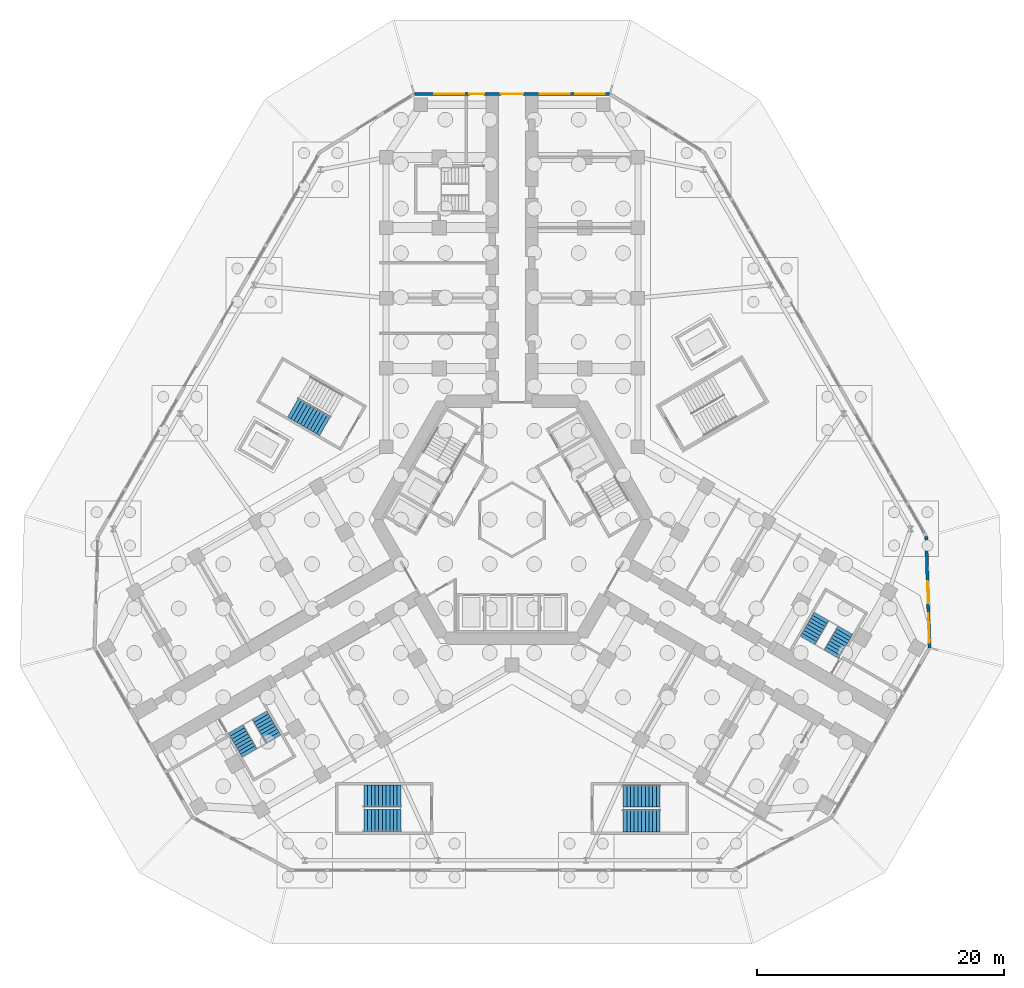
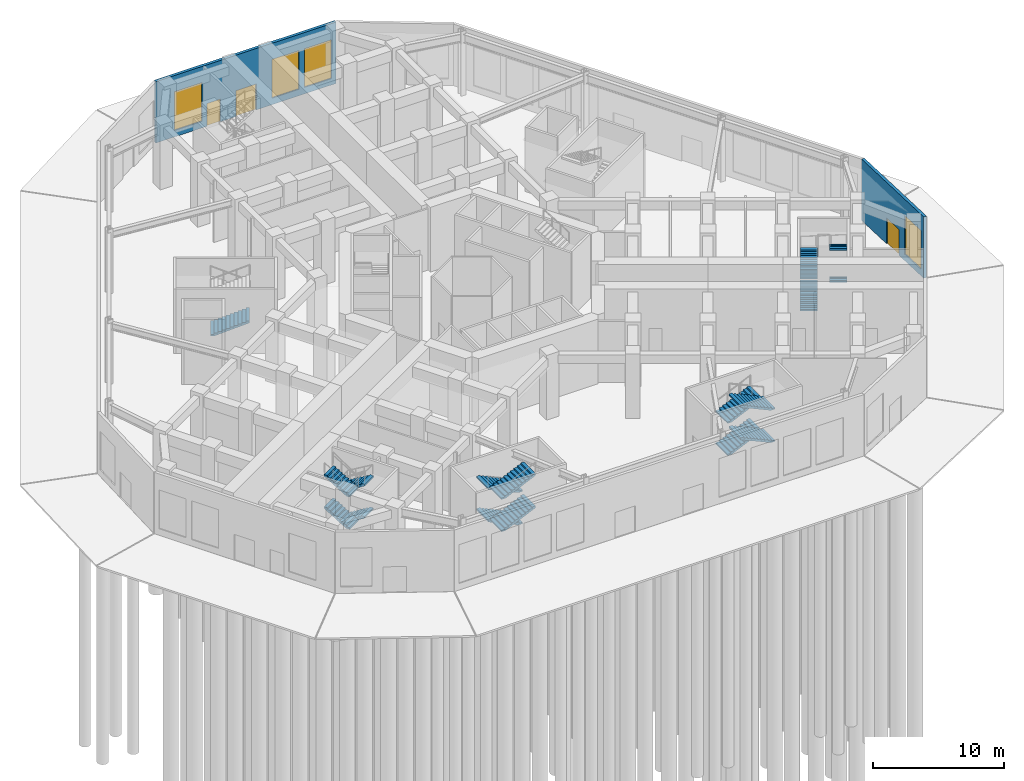
# One storey, part 11 of 16: 17 stair flights, 4 windows, 3 doors, 2 walls, 7 openings, 5 elements without a shape of their own.
"""IFC4 building model written with IfcOpenShell, lengths in metres."""

from ifc_helpers import new_model, si_unit, direction, frame, frame_2d, origin, place, context, subcontext, project, spatial, polyline, rectangle, outline, extrude, material, layer, layer_set, type_object, element, fill, aggregate, save


model = new_model("IFC4")

# Units and contexts
model_context = context("Model", 3, precision=1e-05, world=origin(), true_north=direction((0.0, 1.0)))
body_context = subcontext(model_context, "Body", "Model", "MODEL_VIEW")
ifc_project = project(units=[si_unit("LENGTHUNIT", "METRE"), si_unit("AREAUNIT", "SQUARE_METRE"), si_unit("VOLUMEUNIT", "CUBIC_METRE"), si_unit("PLANEANGLEUNIT", "RADIAN"), si_unit("MASSUNIT", "GRAM", prefix="KILO")], contexts=[model_context])

# Site, building, storey
site_placement = place(None, origin())
site = spatial("IfcSite", under=ifc_project, at=site_placement, CompositionType="ELEMENT")
building_placement = place(site_placement, origin())
building = spatial("IfcBuilding", under=site, at=building_placement, Name="Kosmar Iwan School Tower", CompositionType="ELEMENT")
storey_placement = place(building_placement, origin())
storey = spatial("IfcBuildingStorey", under=building, at=storey_placement, Name="L00", CompositionType="ELEMENT", Elevation=0.0)

# Wall, openings, door, window
ifc_material_1 = material(Name="Black steel framed glazed screen", Category="steel")
ifc_layer_1 = layer(ifc_material_1, 0.25)
ifc_layer_set_1 = layer_set([ifc_layer_1], Name="Entrance screen wall 250")
wall_type_1 = type_object("IfcWallType", Name="Entrance screen wall 250", PredefinedType="SOLIDWALL", material=ifc_layer_set_1)
wall_1_placement = place(storey_placement, frame((33.8134765625, -10.38330078125, 0.0), z_axis=(0.0, 0.0, 1.0), x_axis=(-0.028386561818, 0.999597020358, 0.0)))
wall_1 = element("IfcWall", 1, at=wall_1_placement, inside=storey, type_object=wall_type_1, Name="Entrance screen L00 L00-F03", PredefinedType="SOLIDWALL", context=body_context, shape_type="SweptSolid", body=[
    extrude(rectangle(XDim=9.013427734375, YDim=0.25, at=frame_2d((4.5068359375, 0.0))), origin(), (0.0, 0.0, 1.0), 5.699951171875),
])
opening_1_placement = place(wall_1_placement, frame((3.606689453125, 0.0, 0.0)))
opening_1 = element("IfcOpeningElement", 2, at=opening_1_placement, cuts=wall_1, Name="Opening D10", PredefinedType="OPENING", context=body_context, shape_type="SweptSolid", body=[
    extrude(rectangle(XDim=1.800048828125, YDim=2.39990234375, at=frame_2d((0.89990234375, 1.199951171875))), frame((0.0, 0.136962890625, 0.0), z_axis=(0.0, -1.0, 0.0), x_axis=(1.0, 0.0, 0.0)), (0.0, 0.0, 1.0), 0.27392578125),
])
opening_2_placement = place(wall_1_placement, frame((0.39990234375, 0.0, 0.60009765625)))
opening_2 = element("IfcOpeningElement", 3, at=opening_2_placement, cuts=wall_1, Name="Opening W3", PredefinedType="OPENING", context=body_context, shape_type="SweptSolid", body=[
    extrude(rectangle(XDim=2.39990234375, YDim=3.60009765625, at=frame_2d((1.199951171875, 1.800048828125))), frame((0.0, 0.136962890625, 0.0), z_axis=(0.0, -1.0, 0.0), x_axis=(1.0, 0.0, 0.0)), (0.0, 0.0, 1.0), 0.27392578125),
])
ifc_material_2 = material(Name="Black steel framed glazed door", Category="steel")
door_type_1 = type_object("IfcDoorType", Name="Entrance door pair 1800x2400", OperationType="DOUBLE_DOOR_SINGLE_SWING", PredefinedType="DOOR", material=ifc_material_2)
door_1_placement = place(opening_1_placement, frame((1.800048828125, 0.0, 0.0), z_axis=(0.0, 0.0, 1.0), x_axis=(-1.0, 0.0, 0.0)))
door_1 = element("IfcDoor", 4, at=door_1_placement, inside=storey, type_object=door_type_1, Name="Entrance doors L00-F03 1", OperationType="DOUBLE_DOOR_SINGLE_SWING", OverallHeight=2.39990234375, OverallWidth=1.800048828125, PredefinedType="DOOR", context=body_context, shape_type="SweptSolid", body=[
    extrude(rectangle(XDim=1.800048828125, YDim=2.39990234375, at=frame_2d((0.89990234375, 1.199951171875))), frame((0.0, 0.02490234375, 0.0), z_axis=(0.0, -1.0, 0.0), x_axis=(1.0, 0.0, 0.0)), (0.0, 0.0, 1.0), 0.050048828125),
])
fill(opening_1, door_1)
ifc_material_3 = material(Name="Black aluminium frame with dark triple glazing", Category="aluminium")
window_type = type_object("IfcWindowType", Name="Screen window 2400x3600", PartitioningType="SINGLE_PANEL", PredefinedType="WINDOW", material=ifc_material_3)
window_1_placement = place(opening_2_placement, origin())
window_1 = element("IfcWindow", 5, at=window_1_placement, inside=storey, type_object=window_type, Name="Screen window L00-F03", OverallHeight=3.60009765625, OverallWidth=2.39990234375, PartitioningType="SINGLE_PANEL", PredefinedType="WINDOW", context=body_context, shape_type="SweptSolid", body=[
    extrude(rectangle(XDim=2.39990234375, YDim=3.60009765625, at=frame_2d((1.199951171875, 1.800048828125))), frame((0.0, 0.030029296875, 0.0), z_axis=(0.0, -1.0, 0.0), x_axis=(1.0, 0.0, 0.0)), (0.0, 0.0, 1.0), 0.06005859375),
])
fill(opening_2, window_1)

# Wall, openings, doors, windows
ifc_material_4 = material(Name="Black steel framed fire-resisting glazed screen", Category="steel")
ifc_layer_2 = layer(ifc_material_4, 0.25)
ifc_layer_set_2 = layer_set([ifc_layer_2], Name="Fire-resisting entrance screen wall 250")
wall_type_2 = type_object("IfcWallType", Name="Fire-resisting entrance screen wall 250", PredefinedType="SOLIDWALL", material=ifc_layer_set_2)
wall_2_placement = place(storey_placement, frame((7.91455078125, 34.47509765625, 0.0), z_axis=(0.0, 0.0, 1.0), x_axis=(-1.0, 0.0, 0.0)))
wall_2 = element("IfcWall", 6, at=wall_2_placement, inside=storey, type_object=wall_type_2, Name="Entrance screen L00 L00-F06", PredefinedType="SOLIDWALL", context=body_context, shape_type="SweptSolid", body=[
    extrude(rectangle(XDim=15.8291015625, YDim=0.25, at=frame_2d((7.91455078125, 0.0))), origin(), (0.0, 0.0, 1.0), 5.699951171875),
])
opening_3_placement = place(wall_2_placement, frame((7.0146484375, 0.0, 0.0)))
opening_3 = element("IfcOpeningElement", 7, at=opening_3_placement, cuts=wall_2, Name="Opening D10", PredefinedType="OPENING", context=body_context, shape_type="SweptSolid", body=[
    extrude(rectangle(XDim=1.800048828125, YDim=2.39990234375, at=frame_2d((0.89990234375, 1.199951171875))), frame((0.0, 0.136962890625, 0.0), z_axis=(0.0, -1.0, 0.0), x_axis=(1.0, 0.0, 0.0)), (0.0, 0.0, 1.0), 0.27392578125),
])
opening_4_placement = place(wall_2_placement, frame((0.39990234375, 0.0, 0.60009765625)))
opening_4 = element("IfcOpeningElement", 8, at=opening_4_placement, cuts=wall_2, Name="Opening W3", PredefinedType="OPENING", context=body_context, shape_type="SweptSolid", body=[
    extrude(rectangle(XDim=2.39990234375, YDim=3.60009765625, at=frame_2d((1.199951171875, 1.800048828125))), frame((0.0, 0.136962890625, 0.0), z_axis=(0.0, -1.0, 0.0), x_axis=(1.0, 0.0, 0.0)), (0.0, 0.0, 1.0), 0.27392578125),
])
opening_5_placement = place(wall_2_placement, frame((3.25, 0.0, 0.60009765625)))
opening_5 = element("IfcOpeningElement", 9, at=opening_5_placement, cuts=wall_2, Name="Opening W3", PredefinedType="OPENING", context=body_context, shape_type="SweptSolid", body=[
    extrude(rectangle(XDim=2.39990234375, YDim=3.60009765625, at=frame_2d((1.199951171875, 1.800048828125))), frame((0.0, 0.136962890625, 0.0), z_axis=(0.0, -1.0, 0.0), x_axis=(1.0, 0.0, 0.0)), (0.0, 0.0, 1.0), 0.27392578125),
])
opening_6_placement = place(wall_2_placement, frame((11.800048828125, 0.0, 0.60009765625)))
opening_6 = element("IfcOpeningElement", 10, at=opening_6_placement, cuts=wall_2, Name="Opening W3", PredefinedType="OPENING", context=body_context, shape_type="SweptSolid", body=[
    extrude(rectangle(XDim=2.39990234375, YDim=3.60009765625, at=frame_2d((1.199951171875, 1.800048828125))), frame((0.0, 0.136962890625, 0.0), z_axis=(0.0, -1.0, 0.0), x_axis=(1.0, 0.0, 0.0)), (0.0, 0.0, 1.0), 0.27392578125),
])
opening_7_placement = place(wall_2_placement, frame((10.16455078125, 0.0, 0.0)))
opening_7 = element("IfcOpeningElement", 11, at=opening_7_placement, cuts=wall_2, Name="Opening D16", PredefinedType="OPENING", context=body_context, shape_type="SweptSolid", body=[
    extrude(rectangle(XDim=1.199951171875, YDim=2.10009765625, at=frame_2d((0.60009765625, 1.050048828125))), frame((0.0, 0.136962890625, 0.0), z_axis=(0.0, -1.0, 0.0), x_axis=(1.0, 0.0, 0.0)), (0.0, 0.0, 1.0), 0.27392578125),
])
door_2_placement = place(opening_3_placement, frame((1.800048828125, 0.0, 0.0), z_axis=(0.0, 0.0, 1.0), x_axis=(-1.0, 0.0, 0.0)))
door_2 = element("IfcDoor", 12, at=door_2_placement, inside=storey, type_object=door_type_1, Name="Entrance doors L00-F06 1", OperationType="DOUBLE_DOOR_SINGLE_SWING", OverallHeight=2.39990234375, OverallWidth=1.800048828125, PredefinedType="DOOR", context=body_context, shape_type="SweptSolid", body=[
    extrude(rectangle(XDim=1.800048828125, YDim=2.39990234375, at=frame_2d((0.89990234375, 1.199951171875))), frame((0.0, 0.02490234375, 0.0), z_axis=(0.0, -1.0, 0.0), x_axis=(1.0, 0.0, 0.0)), (0.0, 0.0, 1.0), 0.050048828125),
])
fill(opening_3, door_2)
window_2_placement = place(opening_4_placement, origin())
window_2 = element("IfcWindow", 13, at=window_2_placement, inside=storey, type_object=window_type, Name="Screen window L00-F06", OverallHeight=3.60009765625, OverallWidth=2.39990234375, PartitioningType="SINGLE_PANEL", PredefinedType="WINDOW", context=body_context, shape_type="SweptSolid", body=[
    extrude(rectangle(XDim=2.39990234375, YDim=3.60009765625, at=frame_2d((1.199951171875, 1.800048828125))), frame((0.0, 0.030029296875, 0.0), z_axis=(0.0, -1.0, 0.0), x_axis=(1.0, 0.0, 0.0)), (0.0, 0.0, 1.0), 0.06005859375),
])
fill(opening_4, window_2)
window_3_placement = place(opening_5_placement, origin())
window_3 = element("IfcWindow", 14, at=window_3_placement, inside=storey, type_object=window_type, Name="Screen window L00-F06", OverallHeight=3.60009765625, OverallWidth=2.39990234375, PartitioningType="SINGLE_PANEL", PredefinedType="WINDOW", context=body_context, shape_type="SweptSolid", body=[
    extrude(rectangle(XDim=2.39990234375, YDim=3.60009765625, at=frame_2d((1.199951171875, 1.800048828125))), frame((0.0, 0.030029296875, 0.0), z_axis=(0.0, -1.0, 0.0), x_axis=(1.0, 0.0, 0.0)), (0.0, 0.0, 1.0), 0.06005859375),
])
fill(opening_5, window_3)
window_4_placement = place(opening_6_placement, origin())
window_4 = element("IfcWindow", 15, at=window_4_placement, inside=storey, type_object=window_type, Name="Screen window L00-F06", OverallHeight=3.60009765625, OverallWidth=2.39990234375, PartitioningType="SINGLE_PANEL", PredefinedType="WINDOW", context=body_context, shape_type="SweptSolid", body=[
    extrude(rectangle(XDim=2.39990234375, YDim=3.60009765625, at=frame_2d((1.199951171875, 1.800048828125))), frame((0.0, 0.030029296875, 0.0), z_axis=(0.0, -1.0, 0.0), x_axis=(1.0, 0.0, 0.0)), (0.0, 0.0, 1.0), 0.06005859375),
])
fill(opening_6, window_4)
ifc_material_5 = material(Name="Steel fire door with panic bar", Category="steel")
door_type_2 = type_object("IfcDoorType", Name="Stair exit door 1200x2100", OperationType="SINGLE_SWING_LEFT", PredefinedType="DOOR", material=ifc_material_5)
door_3_placement = place(opening_7_placement, frame((1.199951171875, 0.0, 0.0), z_axis=(0.0, 0.0, 1.0), x_axis=(-1.0, 0.0, 0.0)))
door_3 = element("IfcDoor", 16, at=door_3_placement, inside=storey, type_object=door_type_2, Name="Stair WS1 exit door", OperationType="SINGLE_SWING_LEFT", OverallHeight=2.10009765625, OverallWidth=1.199951171875, PredefinedType="DOOR", context=body_context, shape_type="SweptSolid", body=[
    extrude(rectangle(XDim=1.199951171875, YDim=2.10009765625, at=frame_2d((0.60009765625, 1.050048828125))), frame((0.0, 0.02490234375, 0.0), z_axis=(0.0, -1.0, 0.0), x_axis=(1.0, 0.0, 0.0)), (0.0, 0.0, 1.0), 0.050048828125),
])
fill(opening_7, door_3)

# Stair, stair flights
ifc_material_6 = material(Name="Concrete C35/45", Category="concrete")
stair_type_1 = type_object("IfcStairType", Name="Escape stair 3600", PredefinedType="HALF_TURN_STAIR", material=ifc_material_6)
stair_1_placement = place(storey_placement, origin())
stair_1 = element("IfcStair", 17, at=stair_1_placement, inside=storey, type_object=stair_type_1, Name="Stair WS2 L00", PredefinedType="HALF_TURN_STAIR")
ifc_material_7 = material(Name="Concrete C35/45", Category="concrete")
stair_flight_type_1 = type_object("IfcStairFlightType", Name="Escape stair flight 1350", PredefinedType="STRAIGHT", material=ifc_material_7)
stair_flight_1_placement = place(storey_placement, frame((-20.44189453125, -15.843505859375, 0.0), z_axis=(0.0, 0.0, 1.0), x_axis=(0.5, -0.866025403784, 0.0)))
stair_flight_1 = element("IfcStairFlight", 18, at=stair_flight_1_placement, type_object=stair_flight_type_1, Name="WS2 flight 1", NumberOfRisers=9, NumberOfTreads=8, PredefinedType="STRAIGHT", RiserHeight=0.166666667, TreadLength=0.28, context=body_context, shape_type="SweptSolid", body=[
    extrude(outline(polyline([(0.0, 0.0), (0.0, 0.166748046875), (0.280029296875, 0.166748046875), (0.280029296875, 0.333251953125), (0.56005859375, 0.333251953125), (0.56005859375, 0.5), (0.840087890625, 0.5), (0.840087890625, 0.666748046875), (1.1201171875, 0.666748046875), (1.1201171875, 0.833251953125), (1.39990234375, 0.833251953125), (1.39990234375, 1.0), (1.679931640625, 1.0), (1.679931640625, 1.166748046875), (1.9599609375, 1.166748046875), (1.9599609375, 1.333251953125), (2.239990234375, 1.333251953125), (2.239990234375, 1.5), (2.239990234375, 1.158935546875), (0.29296875, 0.0), (0.0, 0.0)])), frame((0.0, 0.675048828125, 0.0), z_axis=(0.0, -1.0, 0.0), x_axis=(1.0, 0.0, 0.0)), (0.0, 0.0, 1.0), 1.35009765625),
])
stair_flight_2_placement = place(storey_placement, frame((-21.2705078125, -18.908447265625, 1.5), z_axis=(0.0, 0.0, 1.0), x_axis=(-0.5, 0.866025403784, 0.0)))
stair_flight_2 = element("IfcStairFlight", 19, at=stair_flight_2_placement, type_object=stair_flight_type_1, Name="WS2 flight 2", NumberOfRisers=9, NumberOfTreads=8, PredefinedType="STRAIGHT", RiserHeight=0.166666667, TreadLength=0.28, context=body_context, shape_type="SweptSolid", body=[
    extrude(outline(polyline([(0.0, 0.0), (0.0, 0.166748046875), (0.280029296875, 0.166748046875), (0.280029296875, 0.333251953125), (0.56005859375, 0.333251953125), (0.56005859375, 0.5), (0.840087890625, 0.5), (0.840087890625, 0.666748046875), (1.1201171875, 0.666748046875), (1.1201171875, 0.833251953125), (1.39990234375, 0.833251953125), (1.39990234375, 1.0), (1.679931640625, 1.0), (1.679931640625, 1.166748046875), (1.9599609375, 1.166748046875), (1.9599609375, 1.333251953125), (2.239990234375, 1.333251953125), (2.239990234375, 1.5), (2.239990234375, 1.158935546875), (0.29296875, 0.0), (0.0, 0.0)])), frame((0.0, 0.675048828125, 0.0), z_axis=(0.0, -1.0, 0.0), x_axis=(1.0, 0.0, 0.0)), (0.0, 0.0, 1.0), 1.35009765625),
])
stair_flight_3_placement = place(storey_placement, frame((-20.44189453125, -15.843505859375, 3.0), z_axis=(0.0, 0.0, 1.0), x_axis=(0.5, -0.866025403784, 0.0)))
stair_flight_3 = element("IfcStairFlight", 20, at=stair_flight_3_placement, type_object=stair_flight_type_1, Name="WS2 flight 3", NumberOfRisers=9, NumberOfTreads=8, PredefinedType="STRAIGHT", RiserHeight=0.166666667, TreadLength=0.28, context=body_context, shape_type="SweptSolid", body=[
    extrude(outline(polyline([(0.0, 0.0), (0.0, 0.166748046875), (0.280029296875, 0.166748046875), (0.280029296875, 0.333251953125), (0.56005859375, 0.333251953125), (0.56005859375, 0.5), (0.840087890625, 0.5), (0.840087890625, 0.666748046875), (1.1201171875, 0.666748046875), (1.1201171875, 0.833251953125), (1.39990234375, 0.833251953125), (1.39990234375, 1.0), (1.679931640625, 1.0), (1.679931640625, 1.166748046875), (1.9599609375, 1.166748046875), (1.9599609375, 1.333251953125), (2.239990234375, 1.333251953125), (2.239990234375, 1.5), (2.239990234375, 1.158935546875), (0.29296875, 0.0), (0.0, 0.0)])), frame((0.0, 0.675048828125, 0.0), z_axis=(0.0, -1.0, 0.0), x_axis=(1.0, 0.0, 0.0)), (0.0, 0.0, 1.0), 1.35009765625),
])
stair_flight_4_placement = place(storey_placement, frame((-21.2705078125, -18.908447265625, 4.5), z_axis=(0.0, 0.0, 1.0), x_axis=(-0.5, 0.866025403784, 0.0)))
stair_flight_4 = element("IfcStairFlight", 21, at=stair_flight_4_placement, type_object=stair_flight_type_1, Name="WS2 flight 4", NumberOfRisers=9, NumberOfTreads=8, PredefinedType="STRAIGHT", RiserHeight=0.166666667, TreadLength=0.28, context=body_context, shape_type="SweptSolid", body=[
    extrude(outline(polyline([(0.0, 0.0), (0.0, 0.166748046875), (0.280029296875, 0.166748046875), (0.280029296875, 0.333251953125), (0.56005859375, 0.333251953125), (0.56005859375, 0.5), (0.840087890625, 0.5), (0.840087890625, 0.666748046875), (1.1201171875, 0.666748046875), (1.1201171875, 0.833251953125), (1.39990234375, 0.833251953125), (1.39990234375, 1.0), (1.679931640625, 1.0), (1.679931640625, 1.166748046875), (1.9599609375, 1.166748046875), (1.9599609375, 1.333251953125), (2.239990234375, 1.333251953125), (2.239990234375, 1.5), (2.239990234375, 1.158935546875), (0.29296875, 0.0), (0.0, 0.0)])), frame((0.0, 0.675048828125, 0.0), z_axis=(0.0, -1.0, 0.0), x_axis=(1.0, 0.0, 0.0)), (0.0, 0.0, 1.0), 1.35009765625),
])
aggregate(stair_1, [stair_flight_1, stair_flight_2, stair_flight_3, stair_flight_4])

stair_2_placement = place(storey_placement, origin())
stair_2 = element("IfcStair", 22, at=stair_2_placement, inside=storey, type_object=stair_type_1, Name="Stair WS3 L00", PredefinedType="HALF_TURN_STAIR")
stair_flight_5_placement = place(storey_placement, frame((23.94189453125, -9.781494140625, 0.0), z_axis=(0.0, 0.0, 1.0), x_axis=(0.5, 0.866025403784, 0.0)))
stair_flight_5 = element("IfcStairFlight", 23, at=stair_flight_5_placement, type_object=stair_flight_type_1, Name="WS3 flight 1", NumberOfRisers=9, NumberOfTreads=8, PredefinedType="STRAIGHT", RiserHeight=0.166666667, TreadLength=0.28, context=body_context, shape_type="SweptSolid", body=[
    extrude(outline(polyline([(0.0, 0.0), (0.0, 0.166748046875), (0.280029296875, 0.166748046875), (0.280029296875, 0.333251953125), (0.56005859375, 0.333251953125), (0.56005859375, 0.5), (0.840087890625, 0.5), (0.840087890625, 0.666748046875), (1.1201171875, 0.666748046875), (1.1201171875, 0.833251953125), (1.39990234375, 0.833251953125), (1.39990234375, 1.0), (1.679931640625, 1.0), (1.679931640625, 1.166748046875), (1.9599609375, 1.166748046875), (1.9599609375, 1.333251953125), (2.239990234375, 1.333251953125), (2.239990234375, 1.5), (2.239990234375, 1.158935546875), (0.29296875, 0.0), (0.0, 0.0)])), frame((0.0, 0.675048828125, 0.0), z_axis=(0.0, -1.0, 0.0), x_axis=(1.0, 0.0, 0.0)), (0.0, 0.0, 1.0), 1.35009765625),
])
stair_flight_6_placement = place(storey_placement, frame((27.010498046875, -8.966552734375, 1.5), z_axis=(0.0, 0.0, 1.0), x_axis=(-0.5, -0.866025403784, 0.0)))
stair_flight_6 = element("IfcStairFlight", 24, at=stair_flight_6_placement, type_object=stair_flight_type_1, Name="WS3 flight 2", NumberOfRisers=9, NumberOfTreads=8, PredefinedType="STRAIGHT", RiserHeight=0.166666667, TreadLength=0.28, context=body_context, shape_type="SweptSolid", body=[
    extrude(outline(polyline([(0.0, 0.0), (0.0, 0.166748046875), (0.280029296875, 0.166748046875), (0.280029296875, 0.333251953125), (0.56005859375, 0.333251953125), (0.56005859375, 0.5), (0.840087890625, 0.5), (0.840087890625, 0.666748046875), (1.1201171875, 0.666748046875), (1.1201171875, 0.833251953125), (1.39990234375, 0.833251953125), (1.39990234375, 1.0), (1.679931640625, 1.0), (1.679931640625, 1.166748046875), (1.9599609375, 1.166748046875), (1.9599609375, 1.333251953125), (2.239990234375, 1.333251953125), (2.239990234375, 1.5), (2.239990234375, 1.158935546875), (0.29296875, 0.0), (0.0, 0.0)])), frame((0.0, 0.675048828125, 0.0), z_axis=(0.0, -1.0, 0.0), x_axis=(1.0, 0.0, 0.0)), (0.0, 0.0, 1.0), 1.35009765625),
])
stair_flight_7_placement = place(storey_placement, frame((23.94189453125, -9.781494140625, 3.0), z_axis=(0.0, 0.0, 1.0), x_axis=(0.5, 0.866025403784, 0.0)))
stair_flight_7 = element("IfcStairFlight", 25, at=stair_flight_7_placement, type_object=stair_flight_type_1, Name="WS3 flight 3", NumberOfRisers=9, NumberOfTreads=8, PredefinedType="STRAIGHT", RiserHeight=0.166666667, TreadLength=0.28, context=body_context, shape_type="SweptSolid", body=[
    extrude(outline(polyline([(0.0, 0.0), (0.0, 0.166748046875), (0.280029296875, 0.166748046875), (0.280029296875, 0.333251953125), (0.56005859375, 0.333251953125), (0.56005859375, 0.5), (0.840087890625, 0.5), (0.840087890625, 0.666748046875), (1.1201171875, 0.666748046875), (1.1201171875, 0.833251953125), (1.39990234375, 0.833251953125), (1.39990234375, 1.0), (1.679931640625, 1.0), (1.679931640625, 1.166748046875), (1.9599609375, 1.166748046875), (1.9599609375, 1.333251953125), (2.239990234375, 1.333251953125), (2.239990234375, 1.5), (2.239990234375, 1.158935546875), (0.29296875, 0.0), (0.0, 0.0)])), frame((0.0, 0.675048828125, 0.0), z_axis=(0.0, -1.0, 0.0), x_axis=(1.0, 0.0, 0.0)), (0.0, 0.0, 1.0), 1.35009765625),
])
stair_flight_8_placement = place(storey_placement, frame((27.010498046875, -8.966552734375, 4.5), z_axis=(0.0, 0.0, 1.0), x_axis=(-0.5, -0.866025403784, 0.0)))
stair_flight_8 = element("IfcStairFlight", 26, at=stair_flight_8_placement, type_object=stair_flight_type_1, Name="WS3 flight 4", NumberOfRisers=9, NumberOfTreads=8, PredefinedType="STRAIGHT", RiserHeight=0.166666667, TreadLength=0.28, context=body_context, shape_type="SweptSolid", body=[
    extrude(outline(polyline([(0.0, 0.0), (0.0, 0.166748046875), (0.280029296875, 0.166748046875), (0.280029296875, 0.333251953125), (0.56005859375, 0.333251953125), (0.56005859375, 0.5), (0.840087890625, 0.5), (0.840087890625, 0.666748046875), (1.1201171875, 0.666748046875), (1.1201171875, 0.833251953125), (1.39990234375, 0.833251953125), (1.39990234375, 1.0), (1.679931640625, 1.0), (1.679931640625, 1.166748046875), (1.9599609375, 1.166748046875), (1.9599609375, 1.333251953125), (2.239990234375, 1.333251953125), (2.239990234375, 1.5), (2.239990234375, 1.158935546875), (0.29296875, 0.0), (0.0, 0.0)])), frame((0.0, 0.675048828125, 0.0), z_axis=(0.0, -1.0, 0.0), x_axis=(1.0, 0.0, 0.0)), (0.0, 0.0, 1.0), 1.35009765625),
])
aggregate(stair_2, [stair_flight_5, stair_flight_6, stair_flight_7, stair_flight_8])

ifc_material_8 = material(Name="Concrete C35/45", Category="concrete")
stair_type_2 = type_object("IfcStairType", Name="School stair 3800", PredefinedType="HALF_TURN_STAIR", material=ifc_material_8)
stair_3_placement = place(storey_placement, origin())
stair_3 = element("IfcStair", 27, at=stair_3_placement, inside=storey, type_object=stair_type_2, Name="School stair SS1 L00", PredefinedType="HALF_TURN_STAIR")
ifc_material_9 = material(Name="Concrete C35/45", Category="concrete")
stair_flight_type_2 = type_object("IfcStairFlightType", Name="School stair flight 1800", PredefinedType="STRAIGHT", material=ifc_material_9)
stair_flight_9_placement = place(storey_placement, frame((-9.0, -22.39990234375, 0.0), z_axis=(0.0, 0.0, 1.0), x_axis=(-1.0, 0.0, 0.0)))
stair_flight_9 = element("IfcStairFlight", 28, at=stair_flight_9_placement, type_object=stair_flight_type_2, Name="SS1 flight 1", NumberOfRisers=11, NumberOfTreads=10, PredefinedType="STRAIGHT", RiserHeight=0.136363636, TreadLength=0.3, context=body_context, shape_type="SweptSolid", body=[
    extrude(outline(polyline([(0.0, 0.0), (0.0, 0.136474609375), (0.300048828125, 0.136474609375), (0.300048828125, 0.272705078125), (0.60009765625, 0.272705078125), (0.60009765625, 0.4091796875), (0.89990234375, 0.4091796875), (0.89990234375, 0.54541015625), (1.199951171875, 0.54541015625), (1.199951171875, 0.681884765625), (1.5, 0.681884765625), (1.5, 0.818115234375), (1.800048828125, 0.818115234375), (1.800048828125, 0.95458984375), (2.10009765625, 0.95458984375), (2.10009765625, 1.0908203125), (2.39990234375, 1.0908203125), (2.39990234375, 1.227294921875), (2.699951171875, 1.227294921875), (2.699951171875, 1.363525390625), (3.0, 1.363525390625), (3.0, 1.5), (3.0, 1.198974609375), (0.3623046875, 0.0), (0.0, 0.0)])), frame((0.0, 0.89990234375, 0.0), z_axis=(0.0, -1.0, 0.0), x_axis=(1.0, 0.0, 0.0)), (0.0, 0.0, 1.0), 1.800048828125),
])
stair_flight_10_placement = place(storey_placement, frame((-12.0, -24.39990234375, 1.5), z_axis=(0.0, 0.0, 1.0), x_axis=(1.0, 0.0, 0.0)))
stair_flight_10 = element("IfcStairFlight", 29, at=stair_flight_10_placement, type_object=stair_flight_type_2, Name="SS1 flight 2", NumberOfRisers=11, NumberOfTreads=10, PredefinedType="STRAIGHT", RiserHeight=0.136363636, TreadLength=0.3, context=body_context, shape_type="SweptSolid", body=[
    extrude(outline(polyline([(0.0, 0.0), (0.0, 0.136474609375), (0.300048828125, 0.136474609375), (0.300048828125, 0.272705078125), (0.60009765625, 0.272705078125), (0.60009765625, 0.4091796875), (0.89990234375, 0.4091796875), (0.89990234375, 0.54541015625), (1.199951171875, 0.54541015625), (1.199951171875, 0.681884765625), (1.5, 0.681884765625), (1.5, 0.818115234375), (1.800048828125, 0.818115234375), (1.800048828125, 0.95458984375), (2.10009765625, 0.95458984375), (2.10009765625, 1.0908203125), (2.39990234375, 1.0908203125), (2.39990234375, 1.227294921875), (2.699951171875, 1.227294921875), (2.699951171875, 1.363525390625), (3.0, 1.363525390625), (3.0, 1.5), (3.0, 1.198974609375), (0.3623046875, 0.0), (0.0, 0.0)])), frame((0.0, 0.89990234375, 0.0), z_axis=(0.0, -1.0, 0.0), x_axis=(1.0, 0.0, 0.0)), (0.0, 0.0, 1.0), 1.800048828125),
])
stair_flight_11_placement = place(storey_placement, frame((-9.0, -22.39990234375, 3.0), z_axis=(0.0, 0.0, 1.0), x_axis=(-1.0, 0.0, 0.0)))
stair_flight_11 = element("IfcStairFlight", 30, at=stair_flight_11_placement, type_object=stair_flight_type_2, Name="SS1 flight 3", NumberOfRisers=11, NumberOfTreads=10, PredefinedType="STRAIGHT", RiserHeight=0.136363636, TreadLength=0.3, context=body_context, shape_type="SweptSolid", body=[
    extrude(outline(polyline([(0.0, 0.0), (0.0, 0.136474609375), (0.300048828125, 0.136474609375), (0.300048828125, 0.272705078125), (0.60009765625, 0.272705078125), (0.60009765625, 0.4091796875), (0.89990234375, 0.4091796875), (0.89990234375, 0.54541015625), (1.199951171875, 0.54541015625), (1.199951171875, 0.681884765625), (1.5, 0.681884765625), (1.5, 0.818115234375), (1.800048828125, 0.818115234375), (1.800048828125, 0.95458984375), (2.10009765625, 0.95458984375), (2.10009765625, 1.0908203125), (2.39990234375, 1.0908203125), (2.39990234375, 1.227294921875), (2.699951171875, 1.227294921875), (2.699951171875, 1.363525390625), (3.0, 1.363525390625), (3.0, 1.5), (3.0, 1.198974609375), (0.3623046875, 0.0), (0.0, 0.0)])), frame((0.0, 0.89990234375, 0.0), z_axis=(0.0, -1.0, 0.0), x_axis=(1.0, 0.0, 0.0)), (0.0, 0.0, 1.0), 1.800048828125),
])
stair_flight_12_placement = place(storey_placement, frame((-12.0, -24.39990234375, 4.5), z_axis=(0.0, 0.0, 1.0), x_axis=(1.0, 0.0, 0.0)))
stair_flight_12 = element("IfcStairFlight", 31, at=stair_flight_12_placement, type_object=stair_flight_type_2, Name="SS1 flight 4", NumberOfRisers=11, NumberOfTreads=10, PredefinedType="STRAIGHT", RiserHeight=0.136363636, TreadLength=0.3, context=body_context, shape_type="SweptSolid", body=[
    extrude(outline(polyline([(0.0, 0.0), (0.0, 0.136474609375), (0.300048828125, 0.136474609375), (0.300048828125, 0.272705078125), (0.60009765625, 0.272705078125), (0.60009765625, 0.4091796875), (0.89990234375, 0.4091796875), (0.89990234375, 0.54541015625), (1.199951171875, 0.54541015625), (1.199951171875, 0.681884765625), (1.5, 0.681884765625), (1.5, 0.818115234375), (1.800048828125, 0.818115234375), (1.800048828125, 0.95458984375), (2.10009765625, 0.95458984375), (2.10009765625, 1.0908203125), (2.39990234375, 1.0908203125), (2.39990234375, 1.227294921875), (2.699951171875, 1.227294921875), (2.699951171875, 1.363525390625), (3.0, 1.363525390625), (3.0, 1.5), (3.0, 1.198974609375), (0.3623046875, 0.0), (0.0, 0.0)])), frame((0.0, 0.89990234375, 0.0), z_axis=(0.0, -1.0, 0.0), x_axis=(1.0, 0.0, 0.0)), (0.0, 0.0, 1.0), 1.800048828125),
])
aggregate(stair_3, [stair_flight_9, stair_flight_10, stair_flight_11, stair_flight_12])

stair_4_placement = place(storey_placement, origin())
stair_4 = element("IfcStair", 32, at=stair_4_placement, inside=storey, type_object=stair_type_2, Name="School stair SS2 L00", PredefinedType="HALF_TURN_STAIR")
stair_flight_13_placement = place(storey_placement, frame((9.0, -22.39990234375, 0.0), z_axis=(0.0, 0.0, 1.0), x_axis=(1.0, 0.0, 0.0)))
stair_flight_13 = element("IfcStairFlight", 33, at=stair_flight_13_placement, type_object=stair_flight_type_2, Name="SS2 flight 1", NumberOfRisers=11, NumberOfTreads=10, PredefinedType="STRAIGHT", RiserHeight=0.136363636, TreadLength=0.3, context=body_context, shape_type="SweptSolid", body=[
    extrude(outline(polyline([(0.0, 0.0), (0.0, 0.136474609375), (0.300048828125, 0.136474609375), (0.300048828125, 0.272705078125), (0.60009765625, 0.272705078125), (0.60009765625, 0.4091796875), (0.89990234375, 0.4091796875), (0.89990234375, 0.54541015625), (1.199951171875, 0.54541015625), (1.199951171875, 0.681884765625), (1.5, 0.681884765625), (1.5, 0.818115234375), (1.800048828125, 0.818115234375), (1.800048828125, 0.95458984375), (2.10009765625, 0.95458984375), (2.10009765625, 1.0908203125), (2.39990234375, 1.0908203125), (2.39990234375, 1.227294921875), (2.699951171875, 1.227294921875), (2.699951171875, 1.363525390625), (3.0, 1.363525390625), (3.0, 1.5), (3.0, 1.198974609375), (0.3623046875, 0.0), (0.0, 0.0)])), frame((0.0, 0.89990234375, 0.0), z_axis=(0.0, -1.0, 0.0), x_axis=(1.0, 0.0, 0.0)), (0.0, 0.0, 1.0), 1.800048828125),
])
stair_flight_14_placement = place(storey_placement, frame((12.0, -24.39990234375, 1.5), z_axis=(0.0, 0.0, 1.0), x_axis=(-1.0, 0.0, 0.0)))
stair_flight_14 = element("IfcStairFlight", 34, at=stair_flight_14_placement, type_object=stair_flight_type_2, Name="SS2 flight 2", NumberOfRisers=11, NumberOfTreads=10, PredefinedType="STRAIGHT", RiserHeight=0.136363636, TreadLength=0.3, context=body_context, shape_type="SweptSolid", body=[
    extrude(outline(polyline([(0.0, 0.0), (0.0, 0.136474609375), (0.300048828125, 0.136474609375), (0.300048828125, 0.272705078125), (0.60009765625, 0.272705078125), (0.60009765625, 0.4091796875), (0.89990234375, 0.4091796875), (0.89990234375, 0.54541015625), (1.199951171875, 0.54541015625), (1.199951171875, 0.681884765625), (1.5, 0.681884765625), (1.5, 0.818115234375), (1.800048828125, 0.818115234375), (1.800048828125, 0.95458984375), (2.10009765625, 0.95458984375), (2.10009765625, 1.0908203125), (2.39990234375, 1.0908203125), (2.39990234375, 1.227294921875), (2.699951171875, 1.227294921875), (2.699951171875, 1.363525390625), (3.0, 1.363525390625), (3.0, 1.5), (3.0, 1.198974609375), (0.3623046875, 0.0), (0.0, 0.0)])), frame((0.0, 0.89990234375, 0.0), z_axis=(0.0, -1.0, 0.0), x_axis=(1.0, 0.0, 0.0)), (0.0, 0.0, 1.0), 1.800048828125),
])
stair_flight_15_placement = place(storey_placement, frame((9.0, -22.39990234375, 3.0), z_axis=(0.0, 0.0, 1.0), x_axis=(1.0, 0.0, 0.0)))
stair_flight_15 = element("IfcStairFlight", 35, at=stair_flight_15_placement, type_object=stair_flight_type_2, Name="SS2 flight 3", NumberOfRisers=11, NumberOfTreads=10, PredefinedType="STRAIGHT", RiserHeight=0.136363636, TreadLength=0.3, context=body_context, shape_type="SweptSolid", body=[
    extrude(outline(polyline([(0.0, 0.0), (0.0, 0.136474609375), (0.300048828125, 0.136474609375), (0.300048828125, 0.272705078125), (0.60009765625, 0.272705078125), (0.60009765625, 0.4091796875), (0.89990234375, 0.4091796875), (0.89990234375, 0.54541015625), (1.199951171875, 0.54541015625), (1.199951171875, 0.681884765625), (1.5, 0.681884765625), (1.5, 0.818115234375), (1.800048828125, 0.818115234375), (1.800048828125, 0.95458984375), (2.10009765625, 0.95458984375), (2.10009765625, 1.0908203125), (2.39990234375, 1.0908203125), (2.39990234375, 1.227294921875), (2.699951171875, 1.227294921875), (2.699951171875, 1.363525390625), (3.0, 1.363525390625), (3.0, 1.5), (3.0, 1.198974609375), (0.3623046875, 0.0), (0.0, 0.0)])), frame((0.0, 0.89990234375, 0.0), z_axis=(0.0, -1.0, 0.0), x_axis=(1.0, 0.0, 0.0)), (0.0, 0.0, 1.0), 1.800048828125),
])
stair_flight_16_placement = place(storey_placement, frame((12.0, -24.39990234375, 4.5), z_axis=(0.0, 0.0, 1.0), x_axis=(-1.0, 0.0, 0.0)))
stair_flight_16 = element("IfcStairFlight", 36, at=stair_flight_16_placement, type_object=stair_flight_type_2, Name="SS2 flight 4", NumberOfRisers=11, NumberOfTreads=10, PredefinedType="STRAIGHT", RiserHeight=0.136363636, TreadLength=0.3, context=body_context, shape_type="SweptSolid", body=[
    extrude(outline(polyline([(0.0, 0.0), (0.0, 0.136474609375), (0.300048828125, 0.136474609375), (0.300048828125, 0.272705078125), (0.60009765625, 0.272705078125), (0.60009765625, 0.4091796875), (0.89990234375, 0.4091796875), (0.89990234375, 0.54541015625), (1.199951171875, 0.54541015625), (1.199951171875, 0.681884765625), (1.5, 0.681884765625), (1.5, 0.818115234375), (1.800048828125, 0.818115234375), (1.800048828125, 0.95458984375), (2.10009765625, 0.95458984375), (2.10009765625, 1.0908203125), (2.39990234375, 1.0908203125), (2.39990234375, 1.227294921875), (2.699951171875, 1.227294921875), (2.699951171875, 1.363525390625), (3.0, 1.363525390625), (3.0, 1.5), (3.0, 1.198974609375), (0.3623046875, 0.0), (0.0, 0.0)])), frame((0.0, 0.89990234375, 0.0), z_axis=(0.0, -1.0, 0.0), x_axis=(1.0, 0.0, 0.0)), (0.0, 0.0, 1.0), 1.800048828125),
])
aggregate(stair_4, [stair_flight_13, stair_flight_14, stair_flight_15, stair_flight_16])

# Stair, stair flight
stair_5_placement = place(storey_placement, origin())
stair_5 = element("IfcStair", 37, at=stair_5_placement, inside=storey, type_object=stair_type_2, Name="School stair SS4 L00", PredefinedType="HALF_TURN_STAIR")
stair_flight_17_placement = place(storey_placement, frame((-17.73388671875, 9.083984375, 1.5), z_axis=(0.0, 0.0, 1.0), x_axis=(0.866025403784, -0.5, 0.0)))
stair_flight_17 = element("IfcStairFlight", 38, at=stair_flight_17_placement, type_object=stair_flight_type_2, Name="SS4 flight 2", NumberOfRisers=11, NumberOfTreads=10, PredefinedType="STRAIGHT", RiserHeight=0.136363636, TreadLength=0.3, context=body_context, shape_type="SweptSolid", body=[
    extrude(outline(polyline([(0.0, 0.0), (0.0, 0.136474609375), (0.300048828125, 0.136474609375), (0.300048828125, 0.272705078125), (0.60009765625, 0.272705078125), (0.60009765625, 0.4091796875), (0.89990234375, 0.4091796875), (0.89990234375, 0.54541015625), (1.199951171875, 0.54541015625), (1.199951171875, 0.681884765625), (1.5, 0.681884765625), (1.5, 0.818115234375), (1.800048828125, 0.818115234375), (1.800048828125, 0.95458984375), (2.10009765625, 0.95458984375), (2.10009765625, 1.0908203125), (2.39990234375, 1.0908203125), (2.39990234375, 1.227294921875), (2.699951171875, 1.227294921875), (2.699951171875, 1.363525390625), (3.0, 1.363525390625), (3.0, 1.5), (3.0, 1.198974609375), (0.3623046875, 0.0), (0.0, 0.0)])), frame((0.0, 0.89990234375, 0.0), z_axis=(0.0, -1.0, 0.0), x_axis=(1.0, 0.0, 0.0)), (0.0, 0.0, 1.0), 1.800048828125),
])
aggregate(stair_5, [stair_flight_17])

save(model, "model.ifc")
